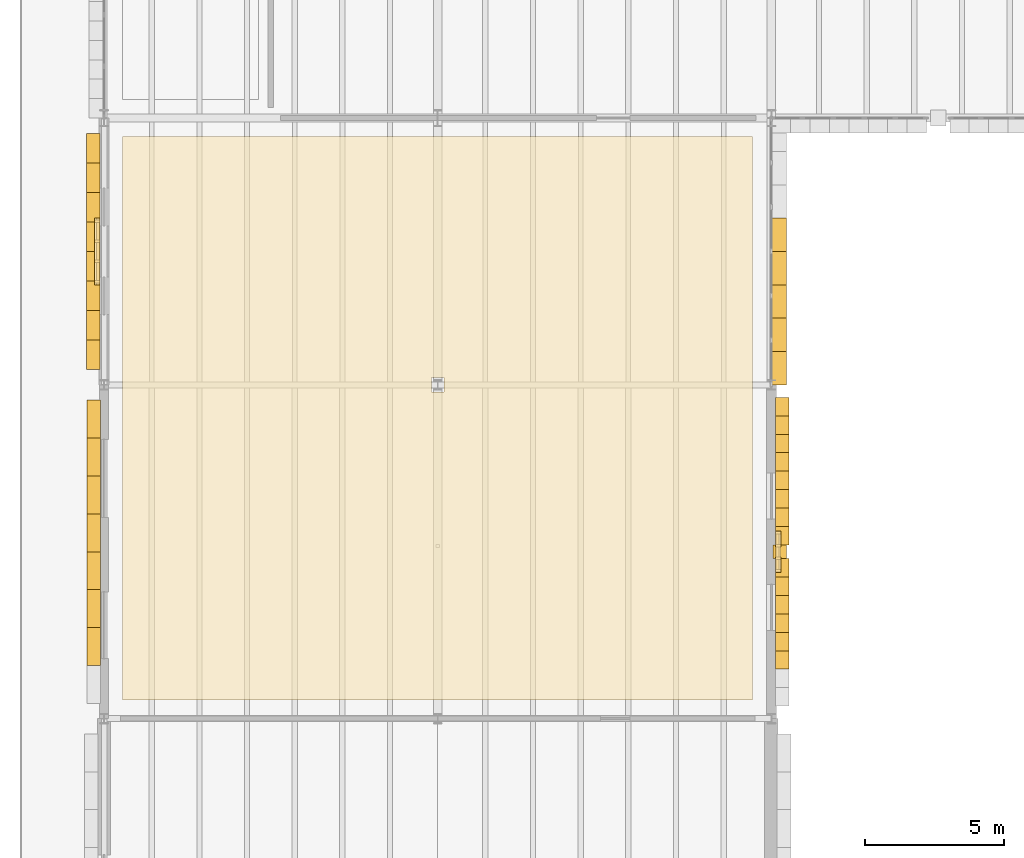
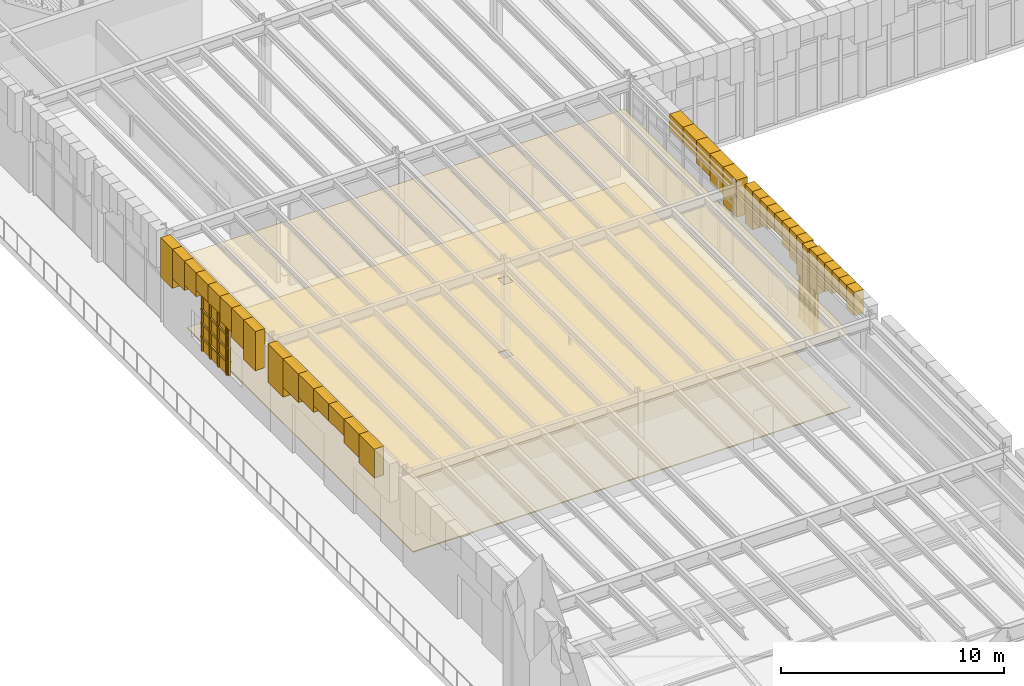
# One storey, part 76 of 103: 51 coverings, 2 shading devices.
"""IFC4 building model written with IfcOpenShell, lengths in metres."""

from ifc_helpers import new_model, si_unit, direction, frame, origin, origin_2d, place, context, subcontext, project, spatial, polyline, rectangle, outline, extrude, material, layer, layer_set, type_object, element, save


model = new_model("IFC4")

# Units and contexts
model_context = context("Model", 3, precision=1e-05, world=origin(), true_north=direction((0.0, 1.0)))
body_context = subcontext(model_context, "Body", "Model", "MODEL_VIEW")
ifc_project = project(units=[si_unit("LENGTHUNIT", "METRE"), si_unit("AREAUNIT", "SQUARE_METRE"), si_unit("VOLUMEUNIT", "CUBIC_METRE"), si_unit("PLANEANGLEUNIT", "RADIAN"), si_unit("MASSUNIT", "GRAM", prefix="KILO")], contexts=[model_context])

# Site, building, storey
site_placement = place(None, origin())
site = spatial("IfcSite", under=ifc_project, at=site_placement, CompositionType="ELEMENT")
building_placement = place(site_placement, origin())
building = spatial("IfcBuilding", under=site, at=building_placement, Name="Zlatogorsky Bluff Art Gallery", CompositionType="ELEMENT")
storey_placement = place(building_placement, origin())
storey = spatial("IfcBuildingStorey", under=building, at=storey_placement, Name="L00", CompositionType="ELEMENT", Elevation=0.0)

# Coverings
ifc_material_1 = material(Name="Perforated Gypsum Acoustic Board", Category="gypsum")
ifc_layer_1 = layer(ifc_material_1, 0.0400390625)
ifc_layer_set_1 = layer_set([ifc_layer_1], Name="Acoustic Gallery Ceiling CLG-01")
covering_type_1 = type_object("IfcCoveringType", Name="Acoustic Gallery Ceiling CLG-01", PredefinedType="CEILING", material=ifc_layer_set_1)
covering_1_placement = place(storey_placement, frame((0.0, 0.0, 4.050048828125)))
element("IfcCovering", 1, at=covering_1_placement, inside=storey, type_object=covering_type_1, Name="Museum Shop and Bluff Cafe acoustic ceiling", PredefinedType="CEILING", context=body_context, shape_type="SweptSolid", body=[
    extrude(outline(polyline([(23.330078125, 83.330078125), (23.330078125, 63.070068359375), (0.669921875, 63.070068359375), (0.669921875, 83.330078125), (23.330078125, 83.330078125)]), holes=[polyline([(11.77001953125, 74.139892578125), (12.22998046875, 74.139892578125), (12.22998046875, 74.659912109375), (11.77001953125, 74.659912109375), (11.77001953125, 74.139892578125)])]), origin(), (0.0, 0.0, 1.0), 0.0400390625),
])
ifc_material_2 = material(Name="Honed Red Agra-Tone Quartzitic Sandstone", Category="masonry")
ifc_layer_2 = layer(ifc_material_2, 0.1201171875)
ifc_layer_set_2 = layer_set([ifc_layer_2], Name="Carved Sandstone Cladding CLD-02")
covering_type_2 = type_object("IfcCoveringType", Name="Carved Sandstone Cladding CLD-02", PredefinedType="CLADDING", material=ifc_layer_set_2)
covering_2_placement = place(storey_placement, frame((0.0, 0.0, 3.78369140625)))
element("IfcCovering", 2, at=covering_2_placement, inside=storey, type_object=covering_type_2, Name="Pointed Mughal arch voussoir spandrel WARCH-L00-W-00-06-A.2", PredefinedType="CLADDING", context=body_context, shape_type="SweptSolid", body=[
    extrude(outline(polyline([(-0.6201171875, 64.3125), (-0.6201171875, 65.675048828125), (-0.1298828125, 65.675048828125), (-0.1298828125, 64.3125), (-0.6201171875, 64.3125)])), origin(), (0.0, 0.0, 1.0), 1.576416015625),
])
covering_3_placement = place(storey_placement, frame((0.0, 0.0, 4.07666015625)))
element("IfcCovering", 3, at=covering_3_placement, inside=storey, type_object=covering_type_2, Name="Pointed Mughal arch voussoir spandrel WARCH-L00-W-00-06-A.3", PredefinedType="CLADDING", context=body_context, shape_type="SweptSolid", body=[
    extrude(outline(polyline([(-0.6201171875, 65.675048828125), (-0.6201171875, 67.03759765625), (-0.1298828125, 67.03759765625), (-0.1298828125, 65.675048828125), (-0.6201171875, 65.675048828125)])), origin(), (0.0, 0.0, 1.0), 1.283447265625),
])
covering_4_placement = place(storey_placement, frame((0.0, 0.0, 4.4453125)))
element("IfcCovering", 4, at=covering_4_placement, inside=storey, type_object=covering_type_2, Name="Pointed Mughal arch voussoir spandrel WARCH-L00-W-00-06-A.4", PredefinedType="CLADDING", context=body_context, shape_type="SweptSolid", body=[
    extrude(outline(polyline([(-0.6201171875, 67.03759765625), (-0.6201171875, 68.39990234375), (-0.1298828125, 68.39990234375), (-0.1298828125, 67.03759765625), (-0.6201171875, 67.03759765625)])), origin(), (0.0, 0.0, 1.0), 0.914794921875),
])
covering_5_placement = place(storey_placement, frame((0.0, 0.0, 4.4453125)))
element("IfcCovering", 5, at=covering_5_placement, inside=storey, type_object=covering_type_2, Name="Pointed Mughal arch voussoir spandrel WARCH-L00-W-00-06-A.5", PredefinedType="CLADDING", context=body_context, shape_type="SweptSolid", body=[
    extrude(outline(polyline([(-0.6201171875, 68.39990234375), (-0.6201171875, 69.762451171875), (-0.1298828125, 69.762451171875), (-0.1298828125, 68.39990234375), (-0.6201171875, 68.39990234375)])), origin(), (0.0, 0.0, 1.0), 0.914794921875),
])
covering_6_placement = place(storey_placement, frame((0.0, 0.0, 4.07666015625)))
element("IfcCovering", 6, at=covering_6_placement, inside=storey, type_object=covering_type_2, Name="Pointed Mughal arch voussoir spandrel WARCH-L00-W-00-06-A.6", PredefinedType="CLADDING", context=body_context, shape_type="SweptSolid", body=[
    extrude(outline(polyline([(-0.6201171875, 69.762451171875), (-0.6201171875, 71.125), (-0.1298828125, 71.125), (-0.1298828125, 69.762451171875), (-0.6201171875, 69.762451171875)])), origin(), (0.0, 0.0, 1.0), 1.283447265625),
])
covering_7_placement = place(storey_placement, frame((0.0, 0.0, 3.78369140625)))
element("IfcCovering", 7, at=covering_7_placement, inside=storey, type_object=covering_type_2, Name="Pointed Mughal arch voussoir spandrel WARCH-L00-W-00-06-A.7", PredefinedType="CLADDING", context=body_context, shape_type="SweptSolid", body=[
    extrude(outline(polyline([(-0.6201171875, 71.125), (-0.6201171875, 72.487548828125), (-0.1298828125, 72.487548828125), (-0.1298828125, 71.125), (-0.6201171875, 71.125)])), origin(), (0.0, 0.0, 1.0), 1.576416015625),
])
covering_8_placement = place(storey_placement, frame((0.0, 0.0, 3.25244140625)))
element("IfcCovering", 8, at=covering_8_placement, inside=storey, type_object=covering_type_2, Name="Pointed Mughal arch voussoir spandrel WARCH-L00-W-00-06-A.8", PredefinedType="CLADDING", context=body_context, shape_type="SweptSolid", body=[
    extrude(outline(polyline([(-0.6201171875, 72.487548828125), (-0.6201171875, 73.85009765625), (-0.1298828125, 73.85009765625), (-0.1298828125, 72.487548828125), (-0.6201171875, 72.487548828125)])), origin(), (0.0, 0.0, 1.0), 2.107666015625),
])
covering_9_placement = place(storey_placement, frame((0.0, 0.0, 3.21240234375)))
element("IfcCovering", 9, at=covering_9_placement, inside=storey, type_object=covering_type_2, Name="Pointed Mughal arch voussoir spandrel WARCH-L00-W-00-07-A.1", PredefinedType="CLADDING", context=body_context, shape_type="SweptSolid", body=[
    extrude(outline(polyline([(-0.639892578125, 74.949951171875), (-0.639892578125, 76.012451171875), (-0.14990234375, 76.012451171875), (-0.14990234375, 74.949951171875), (-0.639892578125, 74.949951171875)])), origin(), (0.0, 0.0, 1.0), 2.147705078125),
])
covering_10_placement = place(storey_placement, frame((0.0, 0.0, 3.743896484375)))
element("IfcCovering", 10, at=covering_10_placement, inside=storey, type_object=covering_type_2, Name="Pointed Mughal arch voussoir spandrel WARCH-L00-W-00-07-A.2", PredefinedType="CLADDING", context=body_context, shape_type="SweptSolid", body=[
    extrude(outline(polyline([(-0.639892578125, 76.012451171875), (-0.639892578125, 77.074951171875), (-0.14990234375, 77.074951171875), (-0.14990234375, 76.012451171875), (-0.639892578125, 76.012451171875)])), origin(), (0.0, 0.0, 1.0), 1.6162109375),
])
covering_11_placement = place(storey_placement, frame((0.0, 0.0, 4.03662109375)))
element("IfcCovering", 11, at=covering_11_placement, inside=storey, type_object=covering_type_2, Name="Pointed Mughal arch voussoir spandrel WARCH-L00-W-00-07-A.3", PredefinedType="CLADDING", context=body_context, shape_type="SweptSolid", body=[
    extrude(outline(polyline([(-0.639892578125, 77.074951171875), (-0.639892578125, 78.137451171875), (-0.14990234375, 78.137451171875), (-0.14990234375, 77.074951171875), (-0.639892578125, 77.074951171875)])), origin(), (0.0, 0.0, 1.0), 1.323486328125),
])
covering_12_placement = place(storey_placement, frame((0.0, 0.0, 4.405517578125)))
element("IfcCovering", 12, at=covering_12_placement, inside=storey, type_object=covering_type_2, Name="Pointed Mughal arch voussoir spandrel WARCH-L00-W-00-07-A.4", PredefinedType="CLADDING", context=body_context, shape_type="SweptSolid", body=[
    extrude(outline(polyline([(-0.639892578125, 78.137451171875), (-0.639892578125, 79.199951171875), (-0.14990234375, 79.199951171875), (-0.14990234375, 78.137451171875), (-0.639892578125, 78.137451171875)])), origin(), (0.0, 0.0, 1.0), 0.95458984375),
])
covering_13_placement = place(storey_placement, frame((0.0, 0.0, 4.405517578125)))
element("IfcCovering", 13, at=covering_13_placement, inside=storey, type_object=covering_type_2, Name="Pointed Mughal arch voussoir spandrel WARCH-L00-W-00-07-A.5", PredefinedType="CLADDING", context=body_context, shape_type="SweptSolid", body=[
    extrude(outline(polyline([(-0.639892578125, 79.199951171875), (-0.639892578125, 80.262451171875), (-0.14990234375, 80.262451171875), (-0.14990234375, 79.199951171875), (-0.639892578125, 79.199951171875)])), origin(), (0.0, 0.0, 1.0), 0.95458984375),
])
covering_14_placement = place(storey_placement, frame((0.0, 0.0, 4.03662109375)))
element("IfcCovering", 14, at=covering_14_placement, inside=storey, type_object=covering_type_2, Name="Pointed Mughal arch voussoir spandrel WARCH-L00-W-00-07-A.6", PredefinedType="CLADDING", context=body_context, shape_type="SweptSolid", body=[
    extrude(outline(polyline([(-0.639892578125, 80.262451171875), (-0.639892578125, 81.324951171875), (-0.14990234375, 81.324951171875), (-0.14990234375, 80.262451171875), (-0.639892578125, 80.262451171875)])), origin(), (0.0, 0.0, 1.0), 1.323486328125),
])
covering_15_placement = place(storey_placement, frame((0.0, 0.0, 3.743896484375)))
element("IfcCovering", 15, at=covering_15_placement, inside=storey, type_object=covering_type_2, Name="Pointed Mughal arch voussoir spandrel WARCH-L00-W-00-07-A.7", PredefinedType="CLADDING", context=body_context, shape_type="SweptSolid", body=[
    extrude(outline(polyline([(-0.639892578125, 81.324951171875), (-0.639892578125, 82.387451171875), (-0.14990234375, 82.387451171875), (-0.14990234375, 81.324951171875), (-0.639892578125, 81.324951171875)])), origin(), (0.0, 0.0, 1.0), 1.6162109375),
])
covering_16_placement = place(storey_placement, frame((0.0, 0.0, 3.21240234375)))
element("IfcCovering", 16, at=covering_16_placement, inside=storey, type_object=covering_type_2, Name="Pointed Mughal arch voussoir spandrel WARCH-L00-W-00-07-A.8", PredefinedType="CLADDING", context=body_context, shape_type="SweptSolid", body=[
    extrude(outline(polyline([(-0.639892578125, 82.387451171875), (-0.639892578125, 83.449951171875), (-0.14990234375, 83.449951171875), (-0.14990234375, 82.387451171875), (-0.639892578125, 82.387451171875)])), origin(), (0.0, 0.0, 1.0), 2.147705078125),
])
covering_17_placement = place(storey_placement, frame((0.0, 0.0, 0.949951171875)))
element("IfcCovering", 17, at=covering_17_placement, inside=storey, type_object=covering_type_2, Name="Pierced sandstone jali lattice bar L00.W.0.7", PredefinedType="CLADDING", context=body_context, shape_type="SweptSolid", body=[
    extrude(outline(polyline([(-0.340087890625, 78.074951171875), (-0.340087890625, 78.1650390625), (-0.14990234375, 78.1650390625), (-0.14990234375, 78.074951171875), (-0.340087890625, 78.074951171875)])), origin(), (0.0, 0.0, 1.0), 3.0),
])
covering_18_placement = place(storey_placement, frame((0.0, 0.0, 0.949951171875)))
element("IfcCovering", 18, at=covering_18_placement, inside=storey, type_object=covering_type_2, Name="Pierced sandstone jali lattice bar L00.W.0.7", PredefinedType="CLADDING", context=body_context, shape_type="SweptSolid", body=[
    extrude(outline(polyline([(-0.340087890625, 78.794921875), (-0.340087890625, 78.885009765625), (-0.14990234375, 78.885009765625), (-0.14990234375, 78.794921875), (-0.340087890625, 78.794921875)])), origin(), (0.0, 0.0, 1.0), 3.0),
])
covering_19_placement = place(storey_placement, frame((0.0, 0.0, 0.949951171875)))
element("IfcCovering", 19, at=covering_19_placement, inside=storey, type_object=covering_type_2, Name="Pierced sandstone jali lattice bar L00.W.0.7", PredefinedType="CLADDING", context=body_context, shape_type="SweptSolid", body=[
    extrude(outline(polyline([(-0.340087890625, 79.514892578125), (-0.340087890625, 79.60498046875), (-0.14990234375, 79.60498046875), (-0.14990234375, 79.514892578125), (-0.340087890625, 79.514892578125)])), origin(), (0.0, 0.0, 1.0), 3.0),
])
covering_20_placement = place(storey_placement, frame((0.0, 0.0, 0.949951171875)))
element("IfcCovering", 20, at=covering_20_placement, inside=storey, type_object=covering_type_2, Name="Pierced sandstone jali lattice bar L00.W.0.7", PredefinedType="CLADDING", context=body_context, shape_type="SweptSolid", body=[
    extrude(outline(polyline([(-0.340087890625, 80.235107421875), (-0.340087890625, 80.324951171875), (-0.14990234375, 80.324951171875), (-0.14990234375, 80.235107421875), (-0.340087890625, 80.235107421875)])), origin(), (0.0, 0.0, 1.0), 3.0),
])
for number, where, name in (
    (21, (0.0, 0.0, 1.659912109375), "Pierced sandstone jali lattice transom L00.W.0.7"),
    (22, (0.0, 0.0, 2.409912109375), "Pierced sandstone jali lattice transom L00.W.0.7"),
    (23, (0.0, 0.0, 3.159912109375), "Pierced sandstone jali lattice transom L00.W.0.7"),
):
    element("IfcCovering", number, at=place(storey_placement, frame(where)), inside=storey, type_object=covering_type_2, Name=name, PredefinedType="CLADDING", context=body_context, shape_type="SweptSolid", body=[
        extrude(outline(polyline([(-0.340087890625, 78.0), (-0.340087890625, 80.39990234375), (-0.14990234375, 80.39990234375), (-0.14990234375, 78.0), (-0.340087890625, 78.0)])), origin(), (0.0, 0.0, 1.0), 0.080078125),
    ])
covering_21_placement = place(storey_placement, frame((0.0, 0.0, 2.81005859375)))
element("IfcCovering", 24, at=covering_21_placement, inside=storey, type_object=covering_type_2, Name="Mughal blind-arch sandstone pilaster L00.E.1.6", PredefinedType="CLADDING", context=body_context, shape_type="SweptSolid", body=[
    extrude(outline(polyline([(24.06005859375, 68.159912109375), (24.5400390625, 68.159912109375), (24.5400390625, 68.639892578125), (24.06005859375, 68.639892578125), (24.06005859375, 68.159912109375)])), origin(), (0.0, 0.0, 1.0), 2.550048828125),
])
covering_22_placement = place(storey_placement, frame((0.0, 0.0, 4.07666015625)))
element("IfcCovering", 25, at=covering_22_placement, inside=storey, type_object=covering_type_2, Name="Pointed Mughal arch voussoir spandrel WARCH-L00-E-01-06-A.3", PredefinedType="CLADDING", context=body_context, shape_type="SweptSolid", body=[
    extrude(outline(polyline([(24.14990234375, 64.175048828125), (24.14990234375, 64.83740234375), (24.639892578125, 64.83740234375), (24.639892578125, 64.175048828125), (24.14990234375, 64.175048828125)])), origin(), (0.0, 0.0, 1.0), 1.283447265625),
])
covering_23_placement = place(storey_placement, frame((0.0, 0.0, 4.4453125)))
element("IfcCovering", 26, at=covering_23_placement, inside=storey, type_object=covering_type_2, Name="Pointed Mughal arch voussoir spandrel WARCH-L00-E-01-06-A.4", PredefinedType="CLADDING", context=body_context, shape_type="SweptSolid", body=[
    extrude(outline(polyline([(24.14990234375, 64.83740234375), (24.14990234375, 65.5), (24.639892578125, 65.5), (24.639892578125, 64.83740234375), (24.14990234375, 64.83740234375)])), origin(), (0.0, 0.0, 1.0), 0.914794921875),
])
covering_24_placement = place(storey_placement, frame((0.0, 0.0, 4.4453125)))
element("IfcCovering", 27, at=covering_24_placement, inside=storey, type_object=covering_type_2, Name="Pointed Mughal arch voussoir spandrel WARCH-L00-E-01-06-A.5", PredefinedType="CLADDING", context=body_context, shape_type="SweptSolid", body=[
    extrude(outline(polyline([(24.14990234375, 65.5), (24.14990234375, 66.16259765625), (24.639892578125, 66.16259765625), (24.639892578125, 65.5), (24.14990234375, 65.5)])), origin(), (0.0, 0.0, 1.0), 0.914794921875),
])
covering_25_placement = place(storey_placement, frame((0.0, 0.0, 4.07666015625)))
element("IfcCovering", 28, at=covering_25_placement, inside=storey, type_object=covering_type_2, Name="Pointed Mughal arch voussoir spandrel WARCH-L00-E-01-06-A.6", PredefinedType="CLADDING", context=body_context, shape_type="SweptSolid", body=[
    extrude(outline(polyline([(24.14990234375, 66.16259765625), (24.14990234375, 66.824951171875), (24.639892578125, 66.824951171875), (24.639892578125, 66.16259765625), (24.14990234375, 66.16259765625)])), origin(), (0.0, 0.0, 1.0), 1.283447265625),
])
covering_26_placement = place(storey_placement, frame((0.0, 0.0, 3.78369140625)))
element("IfcCovering", 29, at=covering_26_placement, inside=storey, type_object=covering_type_2, Name="Pointed Mughal arch voussoir spandrel WARCH-L00-E-01-06-A.7", PredefinedType="CLADDING", context=body_context, shape_type="SweptSolid", body=[
    extrude(outline(polyline([(24.14990234375, 66.824951171875), (24.14990234375, 67.487548828125), (24.639892578125, 67.487548828125), (24.639892578125, 66.824951171875), (24.14990234375, 66.824951171875)])), origin(), (0.0, 0.0, 1.0), 1.576416015625),
])
covering_27_placement = place(storey_placement, frame((0.0, 0.0, 3.25244140625)))
element("IfcCovering", 30, at=covering_27_placement, inside=storey, type_object=covering_type_2, Name="Pointed Mughal arch voussoir spandrel WARCH-L00-E-01-06-A.8", PredefinedType="CLADDING", context=body_context, shape_type="SweptSolid", body=[
    extrude(outline(polyline([(24.14990234375, 67.487548828125), (24.14990234375, 68.14990234375), (24.639892578125, 68.14990234375), (24.639892578125, 67.487548828125), (24.14990234375, 67.487548828125)])), origin(), (0.0, 0.0, 1.0), 2.107666015625),
])
covering_28_placement = place(storey_placement, frame((0.0, 0.0, 3.25244140625)))
element("IfcCovering", 31, at=covering_28_placement, inside=storey, type_object=covering_type_2, Name="Pointed Mughal arch voussoir spandrel WARCH-L00-E-01-06-B.1", PredefinedType="CLADDING", context=body_context, shape_type="SweptSolid", body=[
    extrude(outline(polyline([(24.14990234375, 68.64990234375), (24.14990234375, 69.3125), (24.639892578125, 69.3125), (24.639892578125, 68.64990234375), (24.14990234375, 68.64990234375)])), origin(), (0.0, 0.0, 1.0), 2.107666015625),
])
covering_29_placement = place(storey_placement, frame((0.0, 0.0, 3.78369140625)))
element("IfcCovering", 32, at=covering_29_placement, inside=storey, type_object=covering_type_2, Name="Pointed Mughal arch voussoir spandrel WARCH-L00-E-01-06-B.2", PredefinedType="CLADDING", context=body_context, shape_type="SweptSolid", body=[
    extrude(outline(polyline([(24.14990234375, 69.3125), (24.14990234375, 69.97509765625), (24.639892578125, 69.97509765625), (24.639892578125, 69.3125), (24.14990234375, 69.3125)])), origin(), (0.0, 0.0, 1.0), 1.576416015625),
])
covering_30_placement = place(storey_placement, frame((0.0, 0.0, 4.07666015625)))
element("IfcCovering", 33, at=covering_30_placement, inside=storey, type_object=covering_type_2, Name="Pointed Mughal arch voussoir spandrel WARCH-L00-E-01-06-B.3", PredefinedType="CLADDING", context=body_context, shape_type="SweptSolid", body=[
    extrude(outline(polyline([(24.14990234375, 69.97509765625), (24.14990234375, 70.637451171875), (24.639892578125, 70.637451171875), (24.639892578125, 69.97509765625), (24.14990234375, 69.97509765625)])), origin(), (0.0, 0.0, 1.0), 1.283447265625),
])
covering_31_placement = place(storey_placement, frame((0.0, 0.0, 4.4453125)))
element("IfcCovering", 34, at=covering_31_placement, inside=storey, type_object=covering_type_2, Name="Pointed Mughal arch voussoir spandrel WARCH-L00-E-01-06-B.4", PredefinedType="CLADDING", context=body_context, shape_type="SweptSolid", body=[
    extrude(outline(polyline([(24.14990234375, 70.637451171875), (24.14990234375, 71.300048828125), (24.639892578125, 71.300048828125), (24.639892578125, 70.637451171875), (24.14990234375, 70.637451171875)])), origin(), (0.0, 0.0, 1.0), 0.914794921875),
])
covering_32_placement = place(storey_placement, frame((0.0, 0.0, 4.4453125)))
element("IfcCovering", 35, at=covering_32_placement, inside=storey, type_object=covering_type_2, Name="Pointed Mughal arch voussoir spandrel WARCH-L00-E-01-06-B.5", PredefinedType="CLADDING", context=body_context, shape_type="SweptSolid", body=[
    extrude(outline(polyline([(24.14990234375, 71.300048828125), (24.14990234375, 71.96240234375), (24.639892578125, 71.96240234375), (24.639892578125, 71.300048828125), (24.14990234375, 71.300048828125)])), origin(), (0.0, 0.0, 1.0), 0.914794921875),
])
covering_33_placement = place(storey_placement, frame((0.0, 0.0, 4.07666015625)))
element("IfcCovering", 36, at=covering_33_placement, inside=storey, type_object=covering_type_2, Name="Pointed Mughal arch voussoir spandrel WARCH-L00-E-01-06-B.6", PredefinedType="CLADDING", context=body_context, shape_type="SweptSolid", body=[
    extrude(outline(polyline([(24.14990234375, 71.96240234375), (24.14990234375, 72.625), (24.639892578125, 72.625), (24.639892578125, 71.96240234375), (24.14990234375, 71.96240234375)])), origin(), (0.0, 0.0, 1.0), 1.283447265625),
])
covering_34_placement = place(storey_placement, frame((0.0, 0.0, 3.78369140625)))
element("IfcCovering", 37, at=covering_34_placement, inside=storey, type_object=covering_type_2, Name="Pointed Mughal arch voussoir spandrel WARCH-L00-E-01-06-B.7", PredefinedType="CLADDING", context=body_context, shape_type="SweptSolid", body=[
    extrude(outline(polyline([(24.14990234375, 72.625), (24.14990234375, 73.28759765625), (24.639892578125, 73.28759765625), (24.639892578125, 72.625), (24.14990234375, 72.625)])), origin(), (0.0, 0.0, 1.0), 1.576416015625),
])
covering_35_placement = place(storey_placement, frame((0.0, 0.0, 3.25244140625)))
element("IfcCovering", 38, at=covering_35_placement, inside=storey, type_object=covering_type_2, Name="Pointed Mughal arch voussoir spandrel WARCH-L00-E-01-06-B.8", PredefinedType="CLADDING", context=body_context, shape_type="SweptSolid", body=[
    extrude(outline(polyline([(24.14990234375, 73.28759765625), (24.14990234375, 73.949951171875), (24.639892578125, 73.949951171875), (24.639892578125, 73.28759765625), (24.14990234375, 73.28759765625)])), origin(), (0.0, 0.0, 1.0), 2.107666015625),
])
covering_36_placement = place(storey_placement, frame((0.0, 0.0, 0.949951171875)))
element("IfcCovering", 39, at=covering_36_placement, inside=storey, type_object=covering_type_2, Name="Pierced sandstone jali lattice bar L00.E.1.6", PredefinedType="CLADDING", context=body_context, shape_type="SweptSolid", body=[
    extrude(outline(polyline([(24.14990234375, 67.679931640625), (24.14990234375, 67.77001953125), (24.340087890625, 67.77001953125), (24.340087890625, 67.679931640625), (24.14990234375, 67.679931640625)])), origin(), (0.0, 0.0, 1.0), 2.400146484375),
])
covering_37_placement = place(storey_placement, frame((0.0, 0.0, 0.949951171875)))
element("IfcCovering", 40, at=covering_37_placement, inside=storey, type_object=covering_type_2, Name="Pierced sandstone jali lattice bar L00.E.1.6", PredefinedType="CLADDING", context=body_context, shape_type="SweptSolid", body=[
    extrude(outline(polyline([(24.14990234375, 68.1298828125), (24.14990234375, 68.219970703125), (24.340087890625, 68.219970703125), (24.340087890625, 68.1298828125), (24.14990234375, 68.1298828125)])), origin(), (0.0, 0.0, 1.0), 2.400146484375),
])
covering_38_placement = place(storey_placement, frame((0.0, 0.0, 0.949951171875)))
element("IfcCovering", 41, at=covering_38_placement, inside=storey, type_object=covering_type_2, Name="Pierced sandstone jali lattice bar L00.E.1.6", PredefinedType="CLADDING", context=body_context, shape_type="SweptSolid", body=[
    extrude(outline(polyline([(24.14990234375, 68.580078125), (24.14990234375, 68.669921875), (24.340087890625, 68.669921875), (24.340087890625, 68.580078125), (24.14990234375, 68.580078125)])), origin(), (0.0, 0.0, 1.0), 2.400146484375),
])
covering_39_placement = place(storey_placement, frame((0.0, 0.0, 0.949951171875)))
element("IfcCovering", 42, at=covering_39_placement, inside=storey, type_object=covering_type_2, Name="Pierced sandstone jali lattice bar L00.E.1.6", PredefinedType="CLADDING", context=body_context, shape_type="SweptSolid", body=[
    extrude(outline(polyline([(24.14990234375, 69.030029296875), (24.14990234375, 69.1201171875), (24.340087890625, 69.1201171875), (24.340087890625, 69.030029296875), (24.14990234375, 69.030029296875)])), origin(), (0.0, 0.0, 1.0), 2.400146484375),
])
covering_40_placement = place(storey_placement, frame((0.0, 0.0, 1.510009765625)))
element("IfcCovering", 43, at=covering_40_placement, inside=storey, type_object=covering_type_2, Name="Pierced sandstone jali lattice transom L00.E.1.6", PredefinedType="CLADDING", context=body_context, shape_type="SweptSolid", body=[
    extrude(outline(polyline([(24.14990234375, 67.64990234375), (24.14990234375, 69.14990234375), (24.340087890625, 69.14990234375), (24.340087890625, 67.64990234375), (24.14990234375, 67.64990234375)])), origin(), (0.0, 0.0, 1.0), 0.080078125),
])
covering_41_placement = place(storey_placement, frame((0.0, 0.0, 2.110107421875)))
element("IfcCovering", 44, at=covering_41_placement, inside=storey, type_object=covering_type_2, Name="Pierced sandstone jali lattice transom L00.E.1.6", PredefinedType="CLADDING", context=body_context, shape_type="SweptSolid", body=[
    extrude(outline(polyline([(24.14990234375, 67.64990234375), (24.14990234375, 69.14990234375), (24.340087890625, 69.14990234375), (24.340087890625, 67.64990234375), (24.14990234375, 67.64990234375)])), origin(), (0.0, 0.0, 1.0), 0.079833984375),
])
covering_42_placement = place(storey_placement, frame((0.0, 0.0, 2.7099609375)))
element("IfcCovering", 45, at=covering_42_placement, inside=storey, type_object=covering_type_2, Name="Pierced sandstone jali lattice transom L00.E.1.6", PredefinedType="CLADDING", context=body_context, shape_type="SweptSolid", body=[
    extrude(outline(polyline([(24.14990234375, 67.64990234375), (24.14990234375, 69.14990234375), (24.340087890625, 69.14990234375), (24.340087890625, 67.64990234375), (24.14990234375, 67.64990234375)])), origin(), (0.0, 0.0, 1.0), 0.080078125),
])
covering_43_placement = place(storey_placement, frame((0.0, 0.0, 3.327880859375)))
element("IfcCovering", 46, at=covering_43_placement, inside=storey, type_object=covering_type_2, Name="Pointed Mughal arch voussoir spandrel ARCH-CW-L00-E-01-07.1", PredefinedType="CLADDING", context=body_context, shape_type="SweptSolid", body=[
    extrude(outline(polyline([(23.969970703125, 74.39990234375), (23.969970703125, 75.60009765625), (24.5400390625, 75.60009765625), (24.5400390625, 74.39990234375), (23.969970703125, 74.39990234375)])), origin(), (0.0, 0.0, 1.0), 2.0322265625),
])
covering_44_placement = place(storey_placement, frame((0.0, 0.0, 3.82958984375)))
element("IfcCovering", 47, at=covering_44_placement, inside=storey, type_object=covering_type_2, Name="Pointed Mughal arch voussoir spandrel ARCH-CW-L00-E-01-07.2", PredefinedType="CLADDING", context=body_context, shape_type="SweptSolid", body=[
    extrude(outline(polyline([(23.969970703125, 75.60009765625), (23.969970703125, 76.800048828125), (24.5400390625, 76.800048828125), (24.5400390625, 75.60009765625), (23.969970703125, 75.60009765625)])), origin(), (0.0, 0.0, 1.0), 1.530517578125),
])
covering_45_placement = place(storey_placement, frame((0.0, 0.0, 4.1064453125)))
element("IfcCovering", 48, at=covering_45_placement, inside=storey, type_object=covering_type_2, Name="Pointed Mughal arch voussoir spandrel ARCH-CW-L00-E-01-07.3", PredefinedType="CLADDING", context=body_context, shape_type="SweptSolid", body=[
    extrude(outline(polyline([(23.969970703125, 76.800048828125), (23.969970703125, 78.0), (24.5400390625, 78.0), (24.5400390625, 76.800048828125), (23.969970703125, 76.800048828125)])), origin(), (0.0, 0.0, 1.0), 1.253662109375),
])
covering_46_placement = place(storey_placement, frame((0.0, 0.0, 4.45458984375)))
element("IfcCovering", 49, at=covering_46_placement, inside=storey, type_object=covering_type_2, Name="Pointed Mughal arch voussoir spandrel ARCH-CW-L00-E-01-07.4", PredefinedType="CLADDING", context=body_context, shape_type="SweptSolid", body=[
    extrude(outline(polyline([(23.969970703125, 78.0), (23.969970703125, 79.199951171875), (24.5400390625, 79.199951171875), (24.5400390625, 78.0), (23.969970703125, 78.0)])), origin(), (0.0, 0.0, 1.0), 0.905517578125),
])
covering_47_placement = place(storey_placement, frame((0.0, 0.0, 4.45458984375)))
element("IfcCovering", 50, at=covering_47_placement, inside=storey, type_object=covering_type_2, Name="Pointed Mughal arch voussoir spandrel ARCH-CW-L00-E-01-07.5", PredefinedType="CLADDING", context=body_context, shape_type="SweptSolid", body=[
    extrude(outline(polyline([(23.969970703125, 79.199951171875), (23.969970703125, 80.39990234375), (24.5400390625, 80.39990234375), (24.5400390625, 79.199951171875), (23.969970703125, 79.199951171875)])), origin(), (0.0, 0.0, 1.0), 0.905517578125),
])

# Shading devices
ifc_material_3 = material(Name="CNC-Pierced Red Quartzitic Sandstone Jali", Category="masonry")
shading_device_type_1 = type_object("IfcShadingDeviceType", Name="Pierced Stone Jali Screen JAL-01", PredefinedType="JALOUSIE", material=ifc_material_3)
shading_device_1_placement = place(storey_placement, frame((24.219970703125, 68.39990234375, 0.949951171875), z_axis=(0.0, 0.0, 1.0), x_axis=(1.0, 0.0, 0.0)))
element("IfcShadingDevice", 51, at=shading_device_1_placement, inside=storey, type_object=shading_device_type_1, Name="Pierced stone jali screen JAL-01", PredefinedType="JALOUSIE", context=body_context, shape_type="SweptSolid", body=[
    extrude(rectangle(XDim=0.1201171875, YDim=1.5, at=origin_2d()), origin(), (0.0, 0.0, 1.0), 2.39990234375),
])
shading_device_type_2 = type_object("IfcShadingDeviceType", Name="Pierced Stone Jali Screen JAL-03", PredefinedType="JALOUSIE", material=ifc_material_3)
shading_device_2_placement = place(storey_placement, frame((-0.219970703125, 79.199951171875, 0.949951171875), z_axis=(0.0, 0.0, 1.0), x_axis=(1.0, 0.0, 0.0)))
element("IfcShadingDevice", 52, at=shading_device_2_placement, inside=storey, type_object=shading_device_type_2, Name="Pierced stone jali screen JAL-03", PredefinedType="JALOUSIE", context=body_context, shape_type="SweptSolid", body=[
    extrude(rectangle(XDim=0.1201171875, YDim=2.39990234375, at=origin_2d()), origin(), (0.0, 0.0, 1.0), 3.0),
])

# Covering
ifc_material_4 = material(Name="Polished Ural Marble Terrazzo", Category="masonry")
ifc_layer_3 = layer(ifc_material_4, 0.050048828125)
ifc_layer_set_3 = layer_set([ifc_layer_3], Name="Terrazzo Gallery Flooring FLR-01")
covering_type_3 = type_object("IfcCoveringType", Name="Terrazzo Gallery Flooring FLR-01", PredefinedType="FLOORING", material=ifc_layer_set_3)
covering_48_placement = place(storey_placement, origin())
element("IfcCovering", 53, at=covering_48_placement, inside=storey, type_object=covering_type_3, Name="Museum Shop and Bluff Cafe terrazzo floor finish", PredefinedType="FLOORING", context=body_context, shape_type="SweptSolid", body=[
    extrude(outline(polyline([(23.330078125, 83.330078125), (23.330078125, 63.070068359375), (0.669921875, 63.070068359375), (0.669921875, 83.330078125), (23.330078125, 83.330078125)]), holes=[polyline([(11.77001953125, 74.139892578125), (12.22998046875, 74.139892578125), (12.22998046875, 74.659912109375), (11.77001953125, 74.659912109375), (11.77001953125, 74.139892578125)])]), origin(), (0.0, 0.0, 1.0), 0.050048828125),
])

save(model, "model.ifc")
